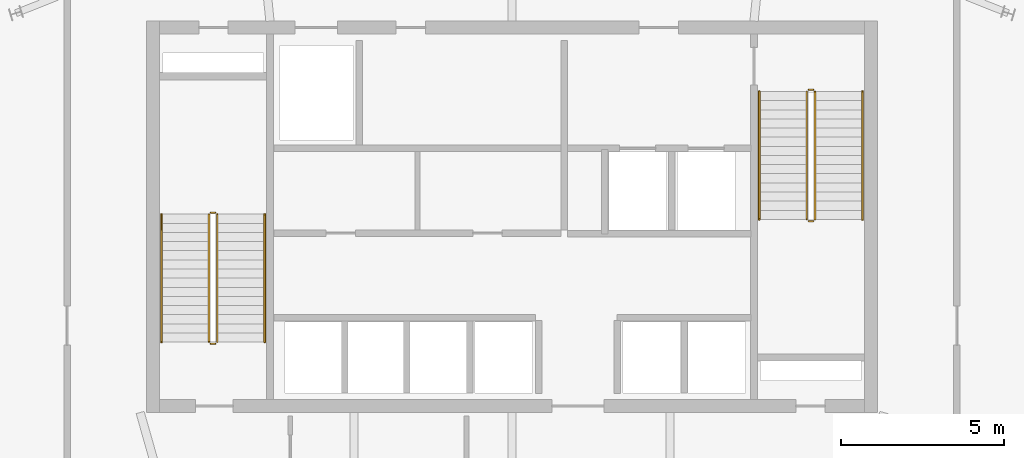
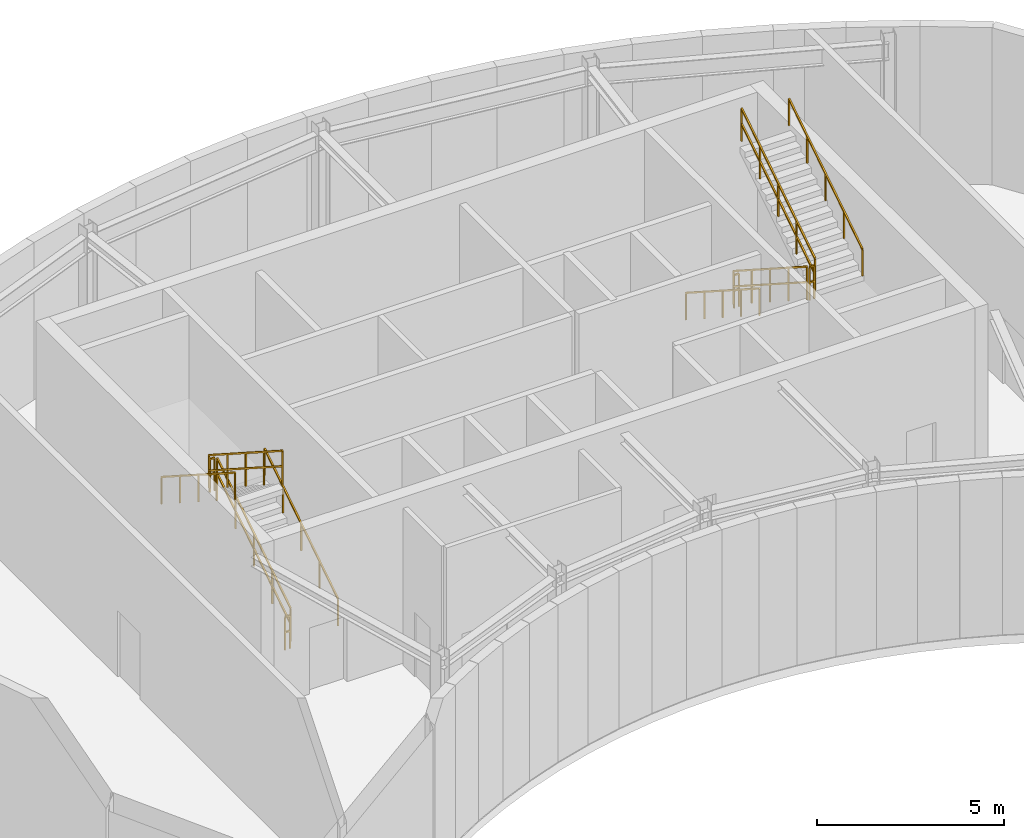
# One storey, part 5 of 5: 12 railings.
"""IFC4 building model written with IfcOpenShell, lengths in metres."""

from ifc_helpers import new_model, si_unit, direction, frame, origin, origin_2d, place, context, subcontext, project, spatial, rectangle, extrude, material, type_object, element, save


model = new_model("IFC4")

# Units and contexts
model_context = context("Model", 3, precision=1e-05, world=origin(), true_north=direction((0.0, 1.0)))
body_context = subcontext(model_context, "Body", "Model", "MODEL_VIEW")
ifc_project = project(units=[si_unit("LENGTHUNIT", "METRE"), si_unit("AREAUNIT", "SQUARE_METRE"), si_unit("VOLUMEUNIT", "CUBIC_METRE"), si_unit("PLANEANGLEUNIT", "RADIAN"), si_unit("MASSUNIT", "GRAM", prefix="KILO")], contexts=[model_context])

# Site, building, storey
site_placement = place(None, origin())
site = spatial("IfcSite", under=ifc_project, at=site_placement, CompositionType="ELEMENT")
building_placement = place(site_placement, origin())
building = spatial("IfcBuilding", under=site, at=building_placement, Name="Breltana Convention Tower", CompositionType="ELEMENT")
storey_placement = place(building_placement, frame((0.0, 0.0, 318.0)))
storey = spatial("IfcBuildingStorey", under=building, at=storey_placement, Name="L77", CompositionType="ELEMENT", Elevation=318.0)

# Railings
ifc_material_1 = material(Name="Steel S275 Painted", Category="steel")
railing_type_1 = type_object("IfcRailingType", Name="RL-STAIR-GUARD-1100", PredefinedType="GUARDRAIL", material=ifc_material_1)
railing_1_placement = place(storey_placement, frame((38.9599609375, 62.360107421875, 0.179931640625)))
element("IfcRailing", 1, at=railing_1_placement, inside=storey, type_object=railing_type_1, Name="L77 ST-1 stair guard 1", PredefinedType="GUARDRAIL", context=body_context, shape_type="SweptSolid", body=[
    extrude(rectangle(XDim=0.048095703125, YDim=0.048095703125, at=origin_2d()), frame((0.0, 0.0, 1.076171875), z_axis=(0.0, 0.841171666519, 0.540768182723), x_axis=(-1.0, 0.0, 0.0)), (0.0, 0.0, 1.0), 4.66015625),
    extrude(rectangle(XDim=0.048095703125, YDim=0.048095703125, at=origin_2d()), frame((0.0, 0.0, 0.572021484375), z_axis=(0.0, 0.841171666519, 0.540768182723), x_axis=(-1.0, 0.0, 0.0)), (0.0, 0.0, 1.0), 4.66015625),
    extrude(rectangle(XDim=0.0419921875, YDim=0.0419921875, at=origin_2d()), origin(), (0.0, 0.0, 1.0), 1.052001953125),
    extrude(rectangle(XDim=0.0419921875, YDim=0.0419921875, at=origin_2d()), frame((0.0, 0.97998046875, 0.6298828125)), (0.0, 0.0, 1.0), 1.052001953125),
    extrude(rectangle(XDim=0.0419921875, YDim=0.0419921875, at=origin_2d()), frame((0.0, 1.9599609375, 1.260009765625)), (0.0, 0.0, 1.0), 1.052001953125),
    extrude(rectangle(XDim=0.0419921875, YDim=0.0419921875, at=origin_2d()), frame((0.0, 2.93994140625, 1.89013671875)), (0.0, 0.0, 1.0), 1.052001953125),
    extrude(rectangle(XDim=0.0419921875, YDim=0.0419921875, at=origin_2d()), frame((0.0, 3.919921875, 2.52001953125)), (0.0, 0.0, 1.0), 1.052001953125),
])
railing_2_placement = place(storey_placement, frame((38.909912109375, 66.330078125, 2.699951171875)))
element("IfcRailing", 2, at=railing_2_placement, inside=storey, type_object=railing_type_1, Name="L77 ST-1 stair guard 2", PredefinedType="GUARDRAIL", context=body_context, shape_type="SweptSolid", body=[
    extrude(rectangle(XDim=0.048095703125, YDim=0.048095703125, at=origin_2d()), frame((0.0, 0.0, 1.076171875), z_axis=(-1.0, 0.0, 0.0), x_axis=(0.0, -1.0, 0.0)), (0.0, 0.0, 1.0), 0.14990234375),
    extrude(rectangle(XDim=0.048095703125, YDim=0.048095703125, at=origin_2d()), frame((0.0, 0.0, 0.572021484375), z_axis=(-1.0, 0.0, 0.0), x_axis=(0.0, -1.0, 0.0)), (0.0, 0.0, 1.0), 0.14990234375),
    extrude(rectangle(XDim=0.0419921875, YDim=0.0419921875, at=origin_2d()), origin(), (0.0, 0.0, 1.0), 1.052001953125),
    extrude(rectangle(XDim=0.0419921875, YDim=0.0419921875, at=origin_2d()), frame((-0.14990234375, 0.0, 0.0)), (0.0, 0.0, 1.0), 1.052001953125),
])
railing_3_placement = place(storey_placement, frame((38.7099609375, 66.280029296875, 2.8798828125)))
element("IfcRailing", 3, at=railing_3_placement, inside=storey, type_object=railing_type_1, Name="L77 ST-1 stair guard 3", PredefinedType="GUARDRAIL", context=body_context, shape_type="SweptSolid", body=[
    extrude(rectangle(XDim=0.048095703125, YDim=0.048095703125, at=origin_2d()), frame((0.0, 0.0, 1.076171875), z_axis=(0.0, -0.841171666519, 0.540768182723), x_axis=(1.0, 0.0, 0.0)), (0.0, 0.0, 1.0), 4.66015625),
    extrude(rectangle(XDim=0.048095703125, YDim=0.048095703125, at=origin_2d()), frame((0.0, 0.0, 0.572021484375), z_axis=(0.0, -0.841171666519, 0.540768182723), x_axis=(1.0, 0.0, 0.0)), (0.0, 0.0, 1.0), 4.66015625),
    extrude(rectangle(XDim=0.0419921875, YDim=0.0419921875, at=origin_2d()), origin(), (0.0, 0.0, 1.0), 1.052001953125),
    extrude(rectangle(XDim=0.0419921875, YDim=0.0419921875, at=origin_2d()), frame((0.0, -0.97998046875, 0.6298828125)), (0.0, 0.0, 1.0), 1.052001953125),
    extrude(rectangle(XDim=0.0419921875, YDim=0.0419921875, at=origin_2d()), frame((0.0, -1.9599609375, 1.260009765625)), (0.0, 0.0, 1.0), 1.052001953125),
    extrude(rectangle(XDim=0.0419921875, YDim=0.0419921875, at=origin_2d()), frame((0.0, -2.93994140625, 1.89013671875)), (0.0, 0.0, 1.0), 1.052001953125),
    extrude(rectangle(XDim=0.0419921875, YDim=0.0419921875, at=origin_2d()), frame((0.0, -3.919921875, 2.52001953125)), (0.0, 0.0, 1.0), 1.052001953125),
])
railing_4_placement = place(storey_placement, frame((38.909912109375, 62.31005859375, 0.0)))
element("IfcRailing", 4, at=railing_4_placement, inside=storey, type_object=railing_type_1, Name="L77 ST-1 stair guard 4", PredefinedType="GUARDRAIL", context=body_context, shape_type="SweptSolid", body=[
    extrude(rectangle(XDim=0.048095703125, YDim=0.048095703125, at=origin_2d()), frame((0.0, 0.0, 1.076171875), z_axis=(-1.0, 0.0, 0.0), x_axis=(0.0, -1.0, 0.0)), (0.0, 0.0, 1.0), 0.14990234375),
    extrude(rectangle(XDim=0.048095703125, YDim=0.048095703125, at=origin_2d()), frame((0.0, 0.0, 0.572021484375), z_axis=(-1.0, 0.0, 0.0), x_axis=(0.0, -1.0, 0.0)), (0.0, 0.0, 1.0), 0.14990234375),
    extrude(rectangle(XDim=0.0419921875, YDim=0.0419921875, at=origin_2d()), origin(), (0.0, 0.0, 1.0), 1.052001953125),
    extrude(rectangle(XDim=0.0419921875, YDim=0.0419921875, at=origin_2d()), frame((-0.14990234375, 0.0, 0.0)), (0.0, 0.0, 1.0), 1.052001953125),
])
railing_5_placement = place(storey_placement, frame((57.0400390625, 70.0400390625, 0.179931640625)))
element("IfcRailing", 5, at=railing_5_placement, inside=storey, type_object=railing_type_1, Name="L77 ST-2 stair guard 1", PredefinedType="GUARDRAIL", context=body_context, shape_type="SweptSolid", body=[
    extrude(rectangle(XDim=0.048095703125, YDim=0.048095703125, at=origin_2d()), frame((0.0, 0.0, 1.076171875), z_axis=(0.0, -0.841171666519, 0.540768182723), x_axis=(1.0, 0.0, 0.0)), (0.0, 0.0, 1.0), 4.66015625),
    extrude(rectangle(XDim=0.048095703125, YDim=0.048095703125, at=origin_2d()), frame((0.0, 0.0, 0.572021484375), z_axis=(0.0, -0.841171666519, 0.540768182723), x_axis=(1.0, 0.0, 0.0)), (0.0, 0.0, 1.0), 4.66015625),
    extrude(rectangle(XDim=0.0419921875, YDim=0.0419921875, at=origin_2d()), origin(), (0.0, 0.0, 1.0), 1.052001953125),
    extrude(rectangle(XDim=0.0419921875, YDim=0.0419921875, at=origin_2d()), frame((0.0, -0.97998046875, 0.6298828125)), (0.0, 0.0, 1.0), 1.052001953125),
    extrude(rectangle(XDim=0.0419921875, YDim=0.0419921875, at=origin_2d()), frame((0.0, -1.9599609375, 1.260009765625)), (0.0, 0.0, 1.0), 1.052001953125),
    extrude(rectangle(XDim=0.0419921875, YDim=0.0419921875, at=origin_2d()), frame((0.0, -2.93994140625, 1.89013671875)), (0.0, 0.0, 1.0), 1.052001953125),
    extrude(rectangle(XDim=0.0419921875, YDim=0.0419921875, at=origin_2d()), frame((0.0, -3.919921875, 2.52001953125)), (0.0, 0.0, 1.0), 1.052001953125),
])
railing_6_placement = place(storey_placement, frame((57.090087890625, 66.070068359375, 2.699951171875)))
element("IfcRailing", 6, at=railing_6_placement, inside=storey, type_object=railing_type_1, Name="L77 ST-2 stair guard 2", PredefinedType="GUARDRAIL", context=body_context, shape_type="SweptSolid", body=[
    extrude(rectangle(XDim=0.048095703125, YDim=0.048095703125, at=origin_2d()), frame((0.0, 0.0, 1.076171875), z_axis=(1.0, 0.0, 0.0), x_axis=(0.0, 1.0, 0.0)), (0.0, 0.0, 1.0), 0.14990234375),
    extrude(rectangle(XDim=0.048095703125, YDim=0.048095703125, at=origin_2d()), frame((0.0, 0.0, 0.572021484375), z_axis=(1.0, 0.0, 0.0), x_axis=(0.0, 1.0, 0.0)), (0.0, 0.0, 1.0), 0.14990234375),
    extrude(rectangle(XDim=0.0419921875, YDim=0.0419921875, at=origin_2d()), origin(), (0.0, 0.0, 1.0), 1.052001953125),
    extrude(rectangle(XDim=0.0419921875, YDim=0.0419921875, at=origin_2d()), frame((0.14990234375, 0.0, 0.0)), (0.0, 0.0, 1.0), 1.052001953125),
])
railing_7_placement = place(storey_placement, frame((57.2900390625, 66.1201171875, 2.8798828125)))
element("IfcRailing", 7, at=railing_7_placement, inside=storey, type_object=railing_type_1, Name="L77 ST-2 stair guard 3", PredefinedType="GUARDRAIL", context=body_context, shape_type="SweptSolid", body=[
    extrude(rectangle(XDim=0.048095703125, YDim=0.048095703125, at=origin_2d()), frame((0.0, 0.0, 1.076171875), z_axis=(0.0, 0.841171666519, 0.540768182723), x_axis=(-1.0, 0.0, 0.0)), (0.0, 0.0, 1.0), 4.66015625),
    extrude(rectangle(XDim=0.048095703125, YDim=0.048095703125, at=origin_2d()), frame((0.0, 0.0, 0.572021484375), z_axis=(0.0, 0.841171666519, 0.540768182723), x_axis=(-1.0, 0.0, 0.0)), (0.0, 0.0, 1.0), 4.66015625),
    extrude(rectangle(XDim=0.0419921875, YDim=0.0419921875, at=origin_2d()), origin(), (0.0, 0.0, 1.0), 1.052001953125),
    extrude(rectangle(XDim=0.0419921875, YDim=0.0419921875, at=origin_2d()), frame((0.0, 0.97998046875, 0.6298828125)), (0.0, 0.0, 1.0), 1.052001953125),
    extrude(rectangle(XDim=0.0419921875, YDim=0.0419921875, at=origin_2d()), frame((0.0, 1.9599609375, 1.260009765625)), (0.0, 0.0, 1.0), 1.052001953125),
    extrude(rectangle(XDim=0.0419921875, YDim=0.0419921875, at=origin_2d()), frame((0.0, 2.93994140625, 1.89013671875)), (0.0, 0.0, 1.0), 1.052001953125),
    extrude(rectangle(XDim=0.0419921875, YDim=0.0419921875, at=origin_2d()), frame((0.0, 3.919921875, 2.52001953125)), (0.0, 0.0, 1.0), 1.052001953125),
])
railing_8_placement = place(storey_placement, frame((57.090087890625, 70.090087890625, 0.0)))
element("IfcRailing", 8, at=railing_8_placement, inside=storey, type_object=railing_type_1, Name="L77 ST-2 stair guard 4", PredefinedType="GUARDRAIL", context=body_context, shape_type="SweptSolid", body=[
    extrude(rectangle(XDim=0.048095703125, YDim=0.048095703125, at=origin_2d()), frame((0.0, 0.0, 1.076171875), z_axis=(1.0, 0.0, 0.0), x_axis=(0.0, 1.0, 0.0)), (0.0, 0.0, 1.0), 0.14990234375),
    extrude(rectangle(XDim=0.048095703125, YDim=0.048095703125, at=origin_2d()), frame((0.0, 0.0, 0.572021484375), z_axis=(1.0, 0.0, 0.0), x_axis=(0.0, 1.0, 0.0)), (0.0, 0.0, 1.0), 0.14990234375),
    extrude(rectangle(XDim=0.0419921875, YDim=0.0419921875, at=origin_2d()), origin(), (0.0, 0.0, 1.0), 1.052001953125),
    extrude(rectangle(XDim=0.0419921875, YDim=0.0419921875, at=origin_2d()), frame((0.14990234375, 0.0, 0.0)), (0.0, 0.0, 1.0), 1.052001953125),
])
ifc_material_2 = material(Name="Stainless Steel 316L", Category="steel")
railing_type_2 = type_object("IfcRailingType", Name="RL-STAIR-HANDRAIL-900", PredefinedType="HANDRAIL", material=ifc_material_2)
railing_9_placement = place(storey_placement, frame((40.419921875, 62.360107421875, 0.179931640625)))
element("IfcRailing", 9, at=railing_9_placement, inside=storey, type_object=railing_type_2, Name="L77 ST-1 stair handrail 1", PredefinedType="HANDRAIL", context=body_context, shape_type="SweptSolid", body=[
    extrude(rectangle(XDim=0.048095703125, YDim=0.048095703125, at=origin_2d()), frame((0.0, 0.0, 0.8759765625), z_axis=(0.0, 0.841171666519, 0.540768182723), x_axis=(-1.0, 0.0, 0.0)), (0.0, 0.0, 1.0), 4.66015625),
    extrude(rectangle(XDim=0.0419921875, YDim=0.0419921875, at=origin_2d()), origin(), (0.0, 0.0, 1.0), 0.851806640625),
    extrude(rectangle(XDim=0.0419921875, YDim=0.0419921875, at=origin_2d()), frame((0.0, 0.97998046875, 0.6298828125)), (0.0, 0.0, 1.0), 0.851806640625),
    extrude(rectangle(XDim=0.0419921875, YDim=0.0419921875, at=origin_2d()), frame((0.0, 1.9599609375, 1.260009765625)), (0.0, 0.0, 1.0), 0.851806640625),
    extrude(rectangle(XDim=0.0419921875, YDim=0.0419921875, at=origin_2d()), frame((0.0, 2.93994140625, 1.89013671875)), (0.0, 0.0, 1.0), 0.851806640625),
    extrude(rectangle(XDim=0.0419921875, YDim=0.0419921875, at=origin_2d()), frame((0.0, 3.919921875, 2.52001953125)), (0.0, 0.0, 1.0), 0.851806640625),
])
for number, where, name in (
    (10, (37.25, 66.280029296875, 2.8798828125), "L77 ST-1 stair handrail 2"),
    (11, (55.580078125, 70.0400390625, 0.179931640625), "L77 ST-2 stair handrail 1"),
):
    element("IfcRailing", number, at=place(storey_placement, frame(where)), inside=storey, type_object=railing_type_2, Name=name, PredefinedType="HANDRAIL", context=body_context, shape_type="SweptSolid", body=[
        extrude(rectangle(XDim=0.048095703125, YDim=0.048095703125, at=origin_2d()), frame((0.0, 0.0, 0.8759765625), z_axis=(0.0, -0.841171666519, 0.540768182723), x_axis=(1.0, 0.0, 0.0)), (0.0, 0.0, 1.0), 4.66015625),
        extrude(rectangle(XDim=0.0419921875, YDim=0.0419921875, at=origin_2d()), origin(), (0.0, 0.0, 1.0), 0.851806640625),
        extrude(rectangle(XDim=0.0419921875, YDim=0.0419921875, at=origin_2d()), frame((0.0, -0.97998046875, 0.6298828125)), (0.0, 0.0, 1.0), 0.851806640625),
        extrude(rectangle(XDim=0.0419921875, YDim=0.0419921875, at=origin_2d()), frame((0.0, -1.9599609375, 1.260009765625)), (0.0, 0.0, 1.0), 0.851806640625),
        extrude(rectangle(XDim=0.0419921875, YDim=0.0419921875, at=origin_2d()), frame((0.0, -2.93994140625, 1.89013671875)), (0.0, 0.0, 1.0), 0.851806640625),
        extrude(rectangle(XDim=0.0419921875, YDim=0.0419921875, at=origin_2d()), frame((0.0, -3.919921875, 2.52001953125)), (0.0, 0.0, 1.0), 0.851806640625),
    ])
railing_10_placement = place(storey_placement, frame((58.75, 66.1201171875, 2.8798828125)))
element("IfcRailing", 12, at=railing_10_placement, inside=storey, type_object=railing_type_2, Name="L77 ST-2 stair handrail 2", PredefinedType="HANDRAIL", context=body_context, shape_type="SweptSolid", body=[
    extrude(rectangle(XDim=0.048095703125, YDim=0.048095703125, at=origin_2d()), frame((0.0, 0.0, 0.8759765625), z_axis=(0.0, 0.841171666519, 0.540768182723), x_axis=(-1.0, 0.0, 0.0)), (0.0, 0.0, 1.0), 4.66015625),
    extrude(rectangle(XDim=0.0419921875, YDim=0.0419921875, at=origin_2d()), origin(), (0.0, 0.0, 1.0), 0.851806640625),
    extrude(rectangle(XDim=0.0419921875, YDim=0.0419921875, at=origin_2d()), frame((0.0, 0.97998046875, 0.6298828125)), (0.0, 0.0, 1.0), 0.851806640625),
    extrude(rectangle(XDim=0.0419921875, YDim=0.0419921875, at=origin_2d()), frame((0.0, 1.9599609375, 1.260009765625)), (0.0, 0.0, 1.0), 0.851806640625),
    extrude(rectangle(XDim=0.0419921875, YDim=0.0419921875, at=origin_2d()), frame((0.0, 2.93994140625, 1.89013671875)), (0.0, 0.0, 1.0), 0.851806640625),
    extrude(rectangle(XDim=0.0419921875, YDim=0.0419921875, at=origin_2d()), frame((0.0, 3.919921875, 2.52001953125)), (0.0, 0.0, 1.0), 0.851806640625),
])

save(model, "model.ifc")
